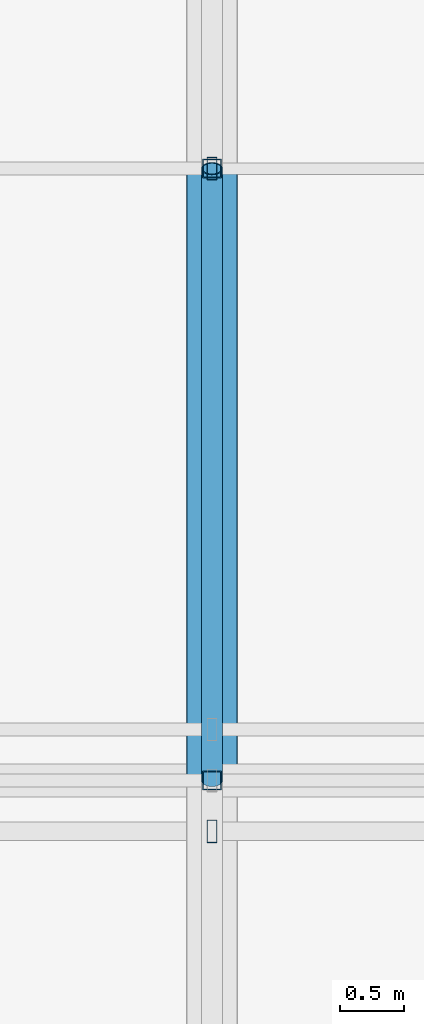
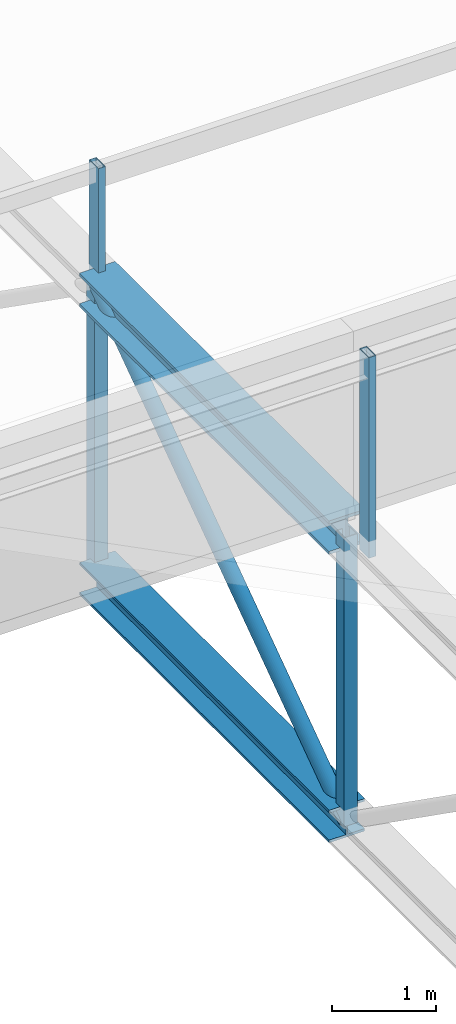
# One storey, part 52 of 136: 5 members, 2 beams.
"""IFC4 building model written with IfcOpenShell, lengths in metres."""

from ifc_helpers import new_model, si_unit, direction, frame, origin, origin_2d, place, context, subcontext, project, spatial, hollow_rectangle, hollow_circle, i_section, extrude, material, material_profile, profile_set, type_object, element, save


model = new_model("IFC4")

# Units and contexts
model_context = context("Model", 3, precision=1e-05, world=origin(), true_north=direction((0.0, 1.0)))
body_context = subcontext(model_context, "Body", "Model", "MODEL_VIEW")
ifc_project = project(units=[si_unit("LENGTHUNIT", "METRE"), si_unit("AREAUNIT", "SQUARE_METRE"), si_unit("VOLUMEUNIT", "CUBIC_METRE"), si_unit("PLANEANGLEUNIT", "RADIAN"), si_unit("MASSUNIT", "GRAM", prefix="KILO")], contexts=[model_context])

# Site, building, storey
site_placement = place(None, origin())
site = spatial("IfcSite", under=ifc_project, at=site_placement, CompositionType="ELEMENT")
building_placement = place(site_placement, origin())
building = spatial("IfcBuilding", under=site, at=building_placement, Name="Kisiwana Market Hall", CompositionType="ELEMENT")
storey_placement = place(building_placement, frame((0.0, 0.0, 16.800048828125)))
storey = spatial("IfcBuildingStorey", under=building, at=storey_placement, Name="L03", CompositionType="ELEMENT", Elevation=16.800048828125)

# Beams
ifc_material_1 = material(Name="Steel S355", Category="steel")
ifc_material_profile_1 = material_profile(ifc_material_1, i_section(OverallWidth=0.394775390625, OverallDepth=0.381103515625, WebThickness=0.018310546875, FlangeThickness=0.0302734375, at=origin_2d()), Name="UC 356x406x235")
ifc_profile_set_1 = profile_set([ifc_material_profile_1], Name="Steel S355")
beam_type_1 = type_object("IfcBeamType", Name="BM-TRUSS-BOT", PredefinedType="USERDEFINED", material=ifc_profile_set_1)
beam_1_placement = place(storey_placement, frame((108.0, 64.800048828125, 0.22998046875), z_axis=(0.0, 1.0, 0.0), x_axis=(-1.0, 0.0, 0.0)))
element("IfcBeam", 1, at=beam_1_placement, inside=storey, type_object=beam_type_1, Name="TR-05 BC panel 7 B-1264", ObjectType="ROOF TRUSS", PredefinedType="USERDEFINED", context=body_context, shape_type="SweptSolid", body=[
    extrude(i_section(OverallWidth=0.394775390625, OverallDepth=0.381103515625, WebThickness=0.018310546875, FlangeThickness=0.0302734375, at=origin_2d()), origin(), (0.0, 0.0, 1.0), 4.800048828125),
])
ifc_material_2 = material(Name="Steel S355", Category="steel")
ifc_material_profile_2 = material_profile(ifc_material_2, i_section(OverallWidth=0.39892578125, OverallDepth=0.3935546875, WebThickness=0.022705078125, FlangeThickness=0.03662109375, at=origin_2d()), Name="UC 356x406x287")
ifc_profile_set_2 = profile_set([ifc_material_profile_2], Name="Steel S355")
beam_type_2 = type_object("IfcBeamType", Name="BM-TRUSS-TOP", PredefinedType="USERDEFINED", material=ifc_profile_set_2)
beam_2_placement = place(storey_placement, frame((108.0, 64.800048828125, 3.619873046875), z_axis=(0.0, 1.0, 0.0), x_axis=(-1.0, 0.0, 0.0)))
element("IfcBeam", 2, at=beam_2_placement, inside=storey, type_object=beam_type_2, Name="TR-05 TC panel 7 B-1274", ObjectType="ROOF TRUSS", PredefinedType="USERDEFINED", context=body_context, shape_type="SweptSolid", body=[
    extrude(i_section(OverallWidth=0.39892578125, OverallDepth=0.3935546875, WebThickness=0.022705078125, FlangeThickness=0.03662109375, at=origin_2d()), origin(), (0.0, 0.0, 1.0), 4.800048828125),
])

# Members
ifc_material_3 = material(Name="Steel S355", Category="steel")
ifc_material_profile_3 = material_profile(ifc_material_3, hollow_rectangle(XDim=0.080078125, YDim=0.179931640625, WallThickness=0.00634765625, at=origin_2d()), Name="RHS 180x80x6.3")
ifc_profile_set_3 = profile_set([ifc_material_profile_3], Name="Steel S355")
member_type_1 = type_object("IfcMemberType", Name="MB-CAN-STRUT", PredefinedType="STRUT", material=ifc_profile_set_3)
member_1_placement = place(storey_placement, frame((108.0, 64.39990234375, 3.619873046875), z_axis=(0.0, 0.0, 1.0), x_axis=(1.0, 0.0, 0.0)))
element("IfcMember", 3, at=member_1_placement, inside=storey, type_object=member_type_1, Name="Sawtooth raker post 256 M-0285", PredefinedType="STRUT", context=body_context, shape_type="SweptSolid", body=[
    extrude(hollow_rectangle(XDim=0.080078125, YDim=0.179931640625, WallThickness=0.00634765625, at=origin_2d()), origin(), (0.0, 0.0, 1.0), 2.355712890625),
])
member_2_placement = place(storey_placement, frame((108.0, 69.60009765625, 3.619873046875), z_axis=(0.0, 0.0, 1.0), x_axis=(1.0, 0.0, 0.0)))
element("IfcMember", 4, at=member_2_placement, inside=storey, type_object=member_type_1, Name="Sawtooth mid-slope raker post 48 M-0079", PredefinedType="STRUT", context=body_context, shape_type="SweptSolid", body=[
    extrude(hollow_rectangle(XDim=0.080078125, YDim=0.179931640625, WallThickness=0.00634765625, at=origin_2d()), origin(), (0.0, 0.0, 1.0), 1.42041015625),
])
ifc_material_4 = material(Name="Steel S355", Category="steel")
ifc_material_profile_4 = material_profile(ifc_material_4, hollow_circle(Radius=0.084228515625, WallThickness=0.010009765625, at=origin_2d()), Name="CHS 168.3x10.0")
ifc_profile_set_4 = profile_set([ifc_material_profile_4], Name="Steel S355")
member_type_2 = type_object("IfcMemberType", Name="MB-TR-DIAG168", PredefinedType="BRACE", material=ifc_profile_set_4)
member_3_placement = place(storey_placement, frame((108.0, 64.800048828125, 0.22998046875), z_axis=(0.0, 0.816837735077, 0.576867501732), x_axis=(-1.0, 0.0, 0.0)))
element("IfcMember", 5, at=member_3_placement, inside=storey, type_object=member_type_2, Name="TR-05 diagonal 7 M-0418", PredefinedType="BRACE", context=body_context, shape_type="SweptSolid", body=[
    extrude(hollow_circle(Radius=0.084228515625, WallThickness=0.010009765625, at=origin_2d()), origin(), (0.0, 0.0, 1.0), 5.87646484375),
])
ifc_material_5 = material(Name="Steel S355", Category="steel")
ifc_material_profile_5 = material_profile(ifc_material_5, hollow_rectangle(XDim=0.14990234375, YDim=0.14990234375, WallThickness=0.008056640625, at=origin_2d()), Name="SHS 150x150x8.0")
ifc_profile_set_5 = profile_set([ifc_material_profile_5], Name="Steel S355")
member_type_3 = type_object("IfcMemberType", Name="MB-TR-STRUT200", PredefinedType="STRUT", material=ifc_profile_set_5)
for number, where, z_axis, x_axis, name in (
    (6, (108.0, 64.800048828125, 0.22998046875), (0.0, 0.0, 1.0), (1.0, 0.0, 0.0), "TR-05 vertical strut 7 M-0427"),
    (7, (108.0, 69.60009765625, 0.22998046875), (0.0, 0.0, 1.0), (1.0, 0.0, 0.0), "TR-05 vertical strut 8 M-0428"),
):
    element("IfcMember", number, at=place(storey_placement, frame(where, z_axis=z_axis, x_axis=x_axis)), inside=storey, type_object=member_type_3, Name=name, PredefinedType="STRUT", context=body_context, shape_type="SweptSolid", body=[
        extrude(hollow_rectangle(XDim=0.14990234375, YDim=0.14990234375, WallThickness=0.008056640625, at=origin_2d()), origin(), (0.0, 0.0, 1.0), 3.389892578125),
    ])

save(model, "model.ifc")
